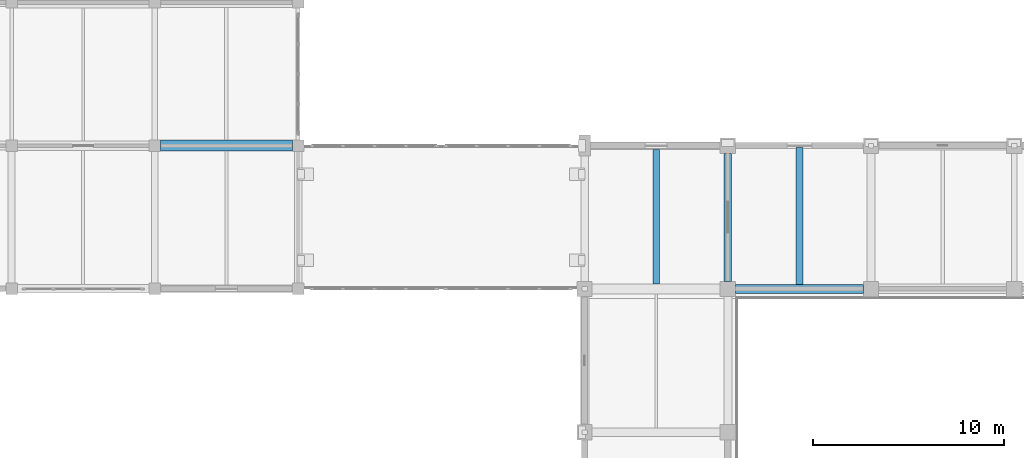
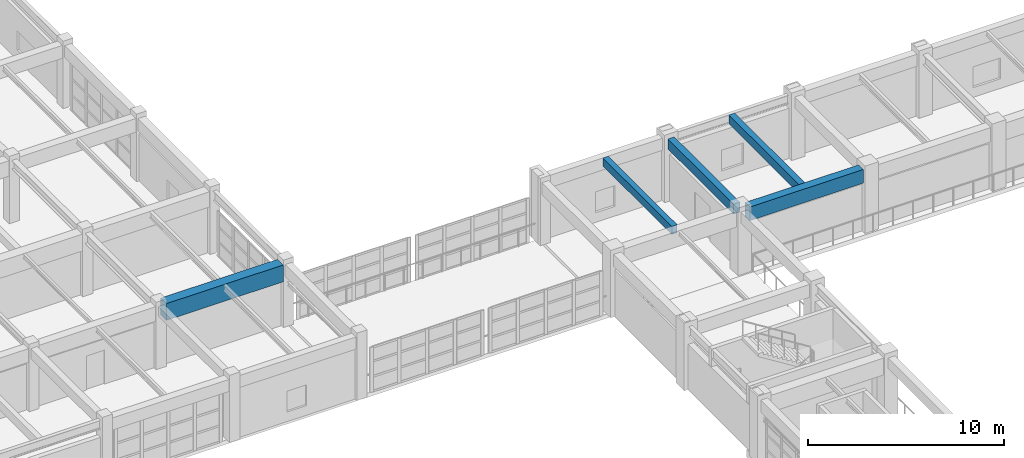
# One storey, part 46 of 124: 5 beams.
"""IFC4 building model written with IfcOpenShell, lengths in metres."""

import ifcopenshell
import ifcopenshell.guid

model = None  # the IFC model being written
_history = None  # IfcOwnerHistory: only IFC2X3 demands one
_inside = {}  # id of a spatial element -> (the spatial element, [elements in it])
_under = {}  # id of a project, library or spatial element -> (it, [spatial elements below it])
_declared = {}  # id of a project -> (the project, [libraries it declares])
_typed = {}  # id of a type object -> (the type object, [elements of that type])
_made_of = {}  # id of a material, layer set ... -> (it, [elements and type objects made of it])


def new_model(schema):
    """Start an empty IFC model of exactly this schema.

    Asked for "IFC4X3", IfcOpenShell would pick the latest addendum, in which some entities
    have other attributes; the version numbers below select the first issue.
    IFC2X3 requires an IfcOwnerHistory on every rooted entity: one is made here for all.
    """
    global model, _history
    if schema == "IFC4X3":
        model = ifcopenshell.file(schema_version=(4, 3, 0, 0))
    else:
        model = ifcopenshell.file(schema=schema)
    _inside.clear()
    _under.clear()
    _declared.clear()
    _typed.clear()
    _made_of.clear()
    _history = None
    if model.schema == "IFC2X3":
        org = make("IfcOrganization", Name="unknown")
        user = make(
            "IfcPersonAndOrganization",
            ThePerson=make("IfcPerson", FamilyName="unknown"),
            TheOrganization=org,
        )
        app = make(
            "IfcApplication",
            ApplicationDeveloper=org,
            Version="unknown",
            ApplicationFullName="unknown",
            ApplicationIdentifier="unknown",
        )
        _history = make(
            "IfcOwnerHistory",
            OwningUser=user,
            OwningApplication=app,
            ChangeAction="ADDED",
            CreationDate=0,
        )
    return model


def make(cls, **values):
    """One entity of the class cls with the attributes given. An attribute that is None is left unset."""
    return model.create_entity(
        cls, **{name: value for name, value in values.items() if value is not None}
    )


def rooted(cls, **values):
    """An entity with a GlobalId (a new one), such as an element, a storey or a relation."""
    return make(cls, GlobalId=ifcopenshell.guid.new(), OwnerHistory=_history, **values)


def si_unit(unit_type, name, prefix=None):
    """IfcSIUnit, for example si_unit("LENGTHUNIT", "METRE", prefix="MILLI")."""
    return make("IfcSIUnit", UnitType=unit_type, Prefix=prefix, Name=name)


def assignment(units):
    """IfcUnitAssignment: the units of a project."""
    return None if units is None else make("IfcUnitAssignment", Units=units)


def point(xyz):
    """IfcCartesianPoint."""
    return None if xyz is None else make("IfcCartesianPoint", Coordinates=xyz)


def direction(xyz):
    """IfcDirection."""
    return None if xyz is None else make("IfcDirection", DirectionRatios=xyz)


def frame(location, z_axis=None, x_axis=None):
    """IfcAxis2Placement3D, a coordinate frame: its origin and axes. An axis left out is left unset."""
    return make(
        "IfcAxis2Placement3D",
        Location=point(location),
        Axis=direction(z_axis),
        RefDirection=direction(x_axis),
    )


def frame_2d(location, x_axis=None):
    """IfcAxis2Placement2D, a coordinate frame in the plane: its origin and x axis."""
    return make(
        "IfcAxis2Placement2D", Location=point(location), RefDirection=direction(x_axis)
    )


def origin():
    """The frame at (0, 0, 0) with its axes left unset."""
    return frame((0.0, 0.0, 0.0))


def origin_2d():
    """The frame at (0, 0) in the plane with its x axis left unset."""
    return frame_2d((0.0, 0.0))


def place(relative_to, where):
    """IfcLocalPlacement: puts the frame where relative to a parent placement (None: the world)."""
    return make(
        "IfcLocalPlacement", PlacementRelTo=relative_to, RelativePlacement=where
    )


def context(
    kind, dimensions, precision=None, world=None, true_north=None, identifier=None
):
    """IfcGeometricRepresentationContext, for example the 3D "Model" context."""
    return make(
        "IfcGeometricRepresentationContext",
        ContextIdentifier=identifier,
        ContextType=kind,
        CoordinateSpaceDimension=dimensions,
        Precision=precision,
        WorldCoordinateSystem=world,
        TrueNorth=true_north,
    )


def subcontext(parent, identifier, kind, view, scale=None):
    """IfcGeometricRepresentationSubContext, for example "Body" below "Model"."""
    return make(
        "IfcGeometricRepresentationSubContext",
        ContextIdentifier=identifier,
        ContextType=kind,
        ParentContext=parent,
        TargetScale=scale,
        TargetView=view,
    )


def project(units=None, contexts=None):
    """IfcProject with its units and contexts."""
    return rooted(
        "IfcProject",
        Name="project",
        RepresentationContexts=contexts,
        UnitsInContext=assignment(units),
    )


def spatial(cls, under=None, at=None, **own):
    """A site, building, storey or space (cls), placed at a placement, below another one or the project."""
    s = rooted(cls, ObjectPlacement=at, **own)
    if under is not None:
        _under.setdefault(under.id(), (under, []))[1].append(s)
    return s


def profile(cls, at=None, kind="AREA", **sizes):
    """A parametric profile (cls). Its sizes go by their IFC names, for example OverallWidth=200.0."""
    return make(cls, ProfileType=kind, Position=at, **sizes)


def rectangle(**sizes):
    """IfcRectangleProfileDef."""
    return profile("IfcRectangleProfileDef", **sizes)


def extrude(swept, where, along, depth):
    """IfcExtrudedAreaSolid: the profile swept, set in the frame where, extruded along a direction by depth."""
    return make(
        "IfcExtrudedAreaSolid",
        SweptArea=swept,
        Position=where,
        ExtrudedDirection=direction(along),
        Depth=depth,
    )


def shape(context_of_items, identifier, shape_type, items):
    """IfcShapeRepresentation: the items that make up one representation, for example the "Body"."""
    return make(
        "IfcShapeRepresentation",
        ContextOfItems=context_of_items,
        RepresentationIdentifier=identifier,
        RepresentationType=shape_type,
        Items=items,
    )


def material(Name=None, Category=None):
    """IfcMaterial."""
    return make("IfcMaterial", Name=Name, Category=Category)


def material_profile(
    of_material, cross_section, Name=None, Category=None, Priority=None
):
    """IfcMaterialProfile: a cross section and its material."""
    return make(
        "IfcMaterialProfile",
        Name=Name,
        Material=of_material,
        Profile=cross_section,
        Priority=Priority,
        Category=Category,
    )


def profile_set(profiles, Name=None, composite=None):
    """IfcMaterialProfileSet."""
    return make(
        "IfcMaterialProfileSet",
        Name=Name,
        MaterialProfiles=profiles,
        CompositeProfile=composite,
    )


def made_of(thing, what):
    """Note that an element or type object is made of a material, layer set ...; save() writes the relation."""
    if what is not None:
        _made_of.setdefault(what.id(), (what, []))[1].append(thing)
    return thing


def type_object(cls, material=None, **own):
    """A type object (cls), such as IfcWallType, which elements share."""
    return made_of(rooted(cls, **own), material)


def element(
    cls,
    number,
    at=None,
    inside=None,
    cuts=None,
    type_object=None,
    material=None,
    context=None,
    identifier="Body",
    shape_type=None,
    held_by="IfcProductDefinitionShape",
    body=None,
    shapes=None,
    **own,
):
    """One element of the class cls, such as IfcWall. Its Tag is "e" and its number.

    at: its placement. inside: the storey or other place that contains it. cuts: it is an
    opening in that element (IfcRelVoidsElement). A single representation is given by context,
    identifier, shape_type and body (its items); several are given by shapes. held_by: the class
    of the entity that holds the representations. save() writes the other relations.
    """
    e = rooted(cls, Tag="e%d" % number, ObjectPlacement=at, **own)
    if body is not None:
        shapes = [shape(context, identifier, shape_type, body)]
    if shapes is not None:
        e.Representation = make(held_by, Representations=shapes)
    if inside is not None:
        _inside.setdefault(inside.id(), (inside, []))[1].append(e)
    if cuts is not None:
        rooted(
            "IfcRelVoidsElement", RelatingBuildingElement=cuts, RelatedOpeningElement=e
        )
    if type_object is not None:
        _typed.setdefault(type_object.id(), (type_object, []))[1].append(e)
    return made_of(e, material)


def aggregate(whole, parts):
    """IfcRelAggregates: a whole, such as a stair, and the parts it consists of."""
    return rooted("IfcRelAggregates", RelatingObject=whole, RelatedObjects=parts)


def save(model, path):
    """Write the relations noted so far, then the file.

    IfcRelAggregates (storeys below a building ...), IfcRelContainedInSpatialStructure (elements
    in a storey), IfcRelDefinesByType, IfcRelAssociatesMaterial and IfcRelDeclares: one each for
    every whole, place, type object, material and project.
    """
    for whole, parts in _under.values():
        aggregate(whole, parts)
    for where, things in _inside.values():
        rooted(
            "IfcRelContainedInSpatialStructure",
            RelatedElements=things,
            RelatingStructure=where,
        )
    for kind, things in _typed.values():
        rooted("IfcRelDefinesByType", RelatedObjects=things, RelatingType=kind)
    for what, things in _made_of.values():
        rooted("IfcRelAssociatesMaterial", RelatedObjects=things, RelatingMaterial=what)
    for by, libraries in _declared.values():
        rooted("IfcRelDeclares", RelatingContext=by, RelatedDefinitions=libraries)
    model.write(path)


model = new_model("IFC4")

# Units and contexts
model_context = context("Model", 3, precision=1e-05, world=origin(), true_north=direction((0.0, 1.0)))
body_context = subcontext(model_context, "Body", "Model", "MODEL_VIEW")
ifc_project = project(units=[si_unit("LENGTHUNIT", "METRE"), si_unit("AREAUNIT", "SQUARE_METRE"), si_unit("VOLUMEUNIT", "CUBIC_METRE"), si_unit("PLANEANGLEUNIT", "RADIAN"), si_unit("MASSUNIT", "GRAM", prefix="KILO")], contexts=[model_context])

# Site, building, storey
site_placement = place(None, origin())
site = spatial("IfcSite", under=ifc_project, at=site_placement, CompositionType="ELEMENT")
building_placement = place(site_placement, origin())
building = spatial("IfcBuilding", under=site, at=building_placement, Name="Qasida Concert Hall", CompositionType="ELEMENT")
storey_placement = place(building_placement, frame((0.0, 0.0, 9.0)))
storey = spatial("IfcBuildingStorey", under=building, at=storey_placement, Name="L02", CompositionType="ELEMENT", Elevation=9.0)

# Beams
ifc_material_1 = material(Name="Concrete C40/50", Category="concrete")
ifc_material_profile_1 = material_profile(ifc_material_1, rectangle(XDim=0.3798828125, YDim=0.6201171875, at=origin_2d()), Name="RC 380x620")
ifc_profile_set_1 = profile_set([ifc_material_profile_1], Name="Concrete C40/50")
beam_type_1 = type_object("IfcBeamType", Name="BM-B10", PredefinedType="BEAM", material=ifc_profile_set_1)
beam_1_placement = place(storey_placement, frame((60.0, 75.39990234375, 3.590087890625), z_axis=(0.0, 1.0, 0.0), x_axis=(-1.0, 0.0, 0.0)))
element("IfcBeam", 1, at=beam_1_placement, inside=storey, type_object=beam_type_1, Name="L02 girder 1182", PredefinedType="BEAM", context=body_context, shape_type="SweptSolid", body=[
    extrude(rectangle(XDim=0.3798828125, YDim=0.6201171875, at=origin_2d()), origin(), (0.0, 0.0, 1.0), 6.7001953125),
])
ifc_material_profile_2 = material_profile(ifc_material_1, rectangle(XDim=0.47998046875, YDim=0.85009765625, at=origin_2d()), Name="RC 480x850")
ifc_profile_set_2 = profile_set([ifc_material_profile_2], Name="Concrete C40/50")
beam_type_2 = type_object("IfcBeamType", Name="BM-G6", PredefinedType="USERDEFINED", material=ifc_profile_set_2)
beam_2_placement = place(storey_placement, frame((60.39990234375, 75.0, 3.47509765625), z_axis=(1.0, 0.0, 0.0), x_axis=(0.0, 1.0, 0.0)))
element("IfcBeam", 2, at=beam_2_placement, inside=storey, type_object=beam_type_2, Name="Primary girder 1158", ObjectType="GIRDER", PredefinedType="USERDEFINED", context=body_context, shape_type="SweptSolid", body=[
    extrude(rectangle(XDim=0.47998046875, YDim=0.85009765625, at=origin_2d()), origin(), (0.0, 0.0, 1.0), 6.7001953125),
])
ifc_material_2 = material(Name="Concrete C50/60", Category="concrete")
ifc_material_profile_3 = material_profile(ifc_material_2, rectangle(XDim=0.580078125, YDim=1.050048828125, at=origin_2d()), Name="RC 580x1050")
ifc_profile_set_3 = profile_set([ifc_material_profile_3], Name="Concrete C50/60")
beam_type_3 = type_object("IfcBeamType", Name="BM-G8", PredefinedType="USERDEFINED", material=ifc_profile_set_3)
beam_3_placement = place(storey_placement, frame((30.300048828125, 82.5, 3.375), z_axis=(1.0, 0.0, 0.0), x_axis=(0.0, 1.0, 0.0)))
element("IfcBeam", 3, at=beam_3_placement, inside=storey, type_object=beam_type_3, Name="Primary girder 1445", ObjectType="GIRDER", PredefinedType="USERDEFINED", context=body_context, shape_type="SweptSolid", body=[
    extrude(rectangle(XDim=0.580078125, YDim=1.050048828125, at=origin_2d()), origin(), (0.0, 0.0, 1.0), 6.89990234375),
])
ifc_material_profile_4 = material_profile(ifc_material_1, rectangle(XDim=0.320068359375, YDim=0.5, at=origin_2d()), Name="RC 320x500")
ifc_profile_set_4 = profile_set([ifc_material_profile_4], Name="Concrete C40/50")
beam_type_4 = type_object("IfcBeamType", Name="BM-J7", PredefinedType="JOIST", material=ifc_profile_set_4)
beam_4_placement = place(storey_placement, frame((56.25, 75.260009765625, 3.64990234375), z_axis=(0.0, 1.0, 0.0), x_axis=(-1.0, 0.0, 0.0)))
element("IfcBeam", 4, at=beam_4_placement, inside=storey, type_object=beam_type_4, Name="L02 secondary joist 1206", PredefinedType="JOIST", context=body_context, shape_type="SweptSolid", body=[
    extrude(rectangle(XDim=0.320068359375, YDim=0.5, at=origin_2d()), origin(), (0.0, 0.0, 1.0), 7.0400390625),
])
ifc_material_profile_5 = material_profile(ifc_material_1, rectangle(XDim=0.35009765625, YDim=0.550048828125, at=origin_2d()), Name="RC 350x550")
ifc_profile_set_5 = profile_set([ifc_material_profile_5], Name="Concrete C40/50")
beam_type_5 = type_object("IfcBeamType", Name="BM-J8", PredefinedType="JOIST", material=ifc_profile_set_5)
beam_5_placement = place(storey_placement, frame((63.75, 75.239990234375, 3.625), z_axis=(0.0, 1.0, 0.0), x_axis=(-1.0, 0.0, 0.0)))
element("IfcBeam", 5, at=beam_5_placement, inside=storey, type_object=beam_type_5, Name="L02 secondary joist 1207", PredefinedType="JOIST", context=body_context, shape_type="SweptSolid", body=[
    extrude(rectangle(XDim=0.35009765625, YDim=0.550048828125, at=origin_2d()), origin(), (0.0, 0.0, 1.0), 7.155029296875),
])

save(model, "model.ifc")
